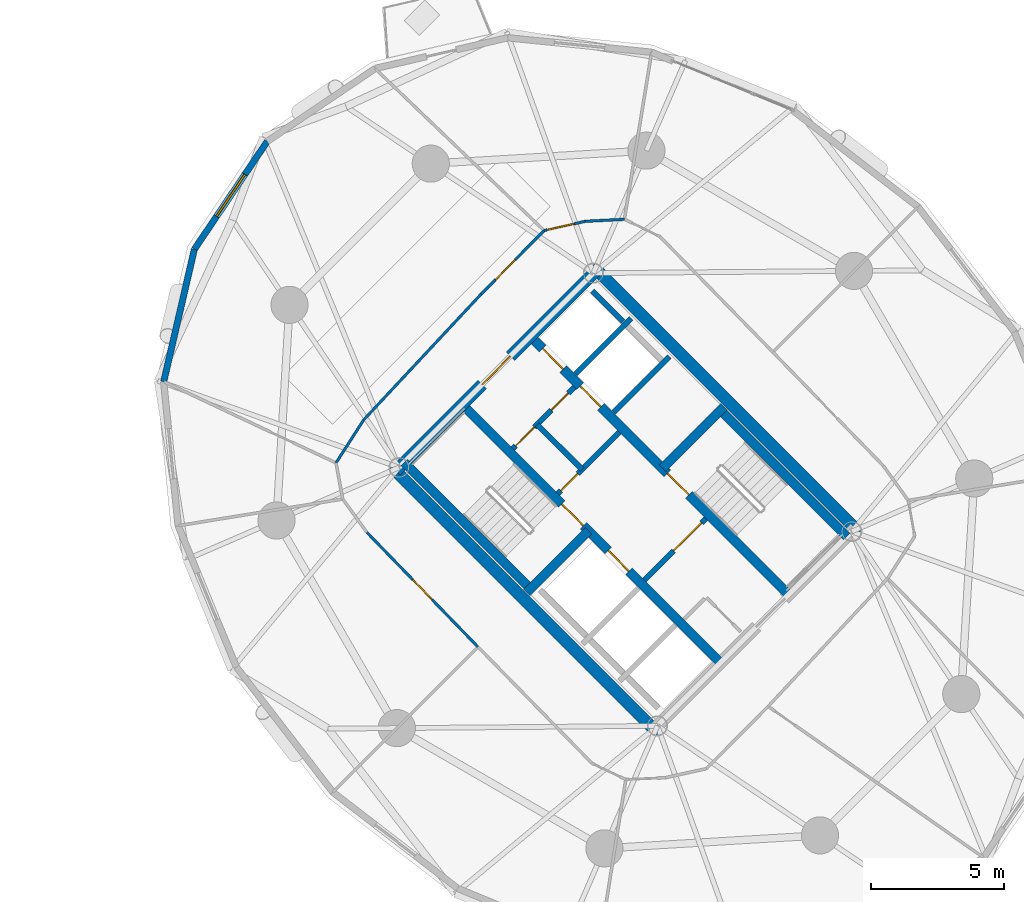
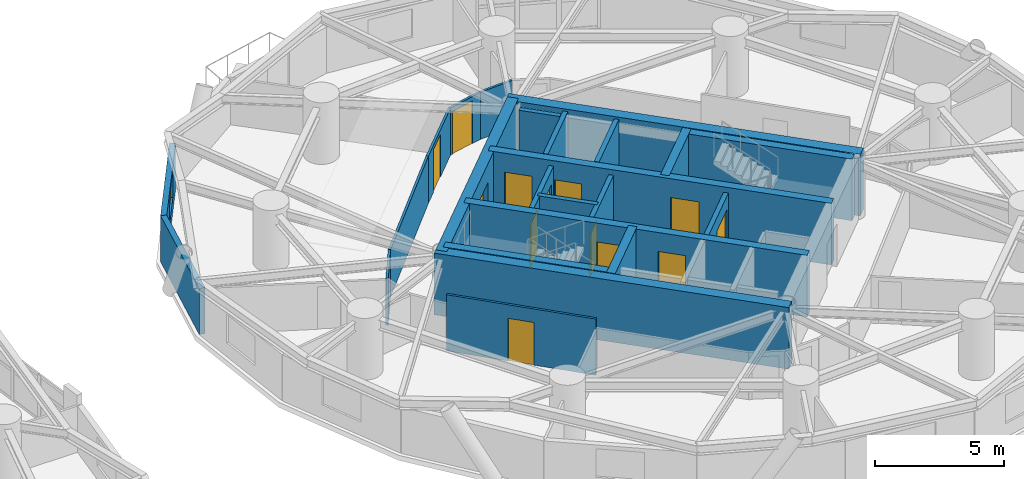
# One storey, part 12 of 17: 24 walls, 13 doors, 1 window, 14 openings.
"""IFC4 building model written with IfcOpenShell, lengths in metres."""

import ifcopenshell
import ifcopenshell.guid

model = None  # the IFC model being written
_history = None  # IfcOwnerHistory: only IFC2X3 demands one
_inside = {}  # id of a spatial element -> (the spatial element, [elements in it])
_under = {}  # id of a project, library or spatial element -> (it, [spatial elements below it])
_declared = {}  # id of a project -> (the project, [libraries it declares])
_typed = {}  # id of a type object -> (the type object, [elements of that type])
_made_of = {}  # id of a material, layer set ... -> (it, [elements and type objects made of it])


def new_model(schema):
    """Start an empty IFC model of exactly this schema.

    Asked for "IFC4X3", IfcOpenShell would pick the latest addendum, in which some entities
    have other attributes; the version numbers below select the first issue.
    IFC2X3 requires an IfcOwnerHistory on every rooted entity: one is made here for all.
    """
    global model, _history
    if schema == "IFC4X3":
        model = ifcopenshell.file(schema_version=(4, 3, 0, 0))
    else:
        model = ifcopenshell.file(schema=schema)
    _inside.clear()
    _under.clear()
    _declared.clear()
    _typed.clear()
    _made_of.clear()
    _history = None
    if model.schema == "IFC2X3":
        org = make("IfcOrganization", Name="unknown")
        user = make(
            "IfcPersonAndOrganization",
            ThePerson=make("IfcPerson", FamilyName="unknown"),
            TheOrganization=org,
        )
        app = make(
            "IfcApplication",
            ApplicationDeveloper=org,
            Version="unknown",
            ApplicationFullName="unknown",
            ApplicationIdentifier="unknown",
        )
        _history = make(
            "IfcOwnerHistory",
            OwningUser=user,
            OwningApplication=app,
            ChangeAction="ADDED",
            CreationDate=0,
        )
    return model


def make(cls, **values):
    """One entity of the class cls with the attributes given. An attribute that is None is left unset."""
    return model.create_entity(
        cls, **{name: value for name, value in values.items() if value is not None}
    )


def rooted(cls, **values):
    """An entity with a GlobalId (a new one), such as an element, a storey or a relation."""
    return make(cls, GlobalId=ifcopenshell.guid.new(), OwnerHistory=_history, **values)


def si_unit(unit_type, name, prefix=None):
    """IfcSIUnit, for example si_unit("LENGTHUNIT", "METRE", prefix="MILLI")."""
    return make("IfcSIUnit", UnitType=unit_type, Prefix=prefix, Name=name)


def assignment(units):
    """IfcUnitAssignment: the units of a project."""
    return None if units is None else make("IfcUnitAssignment", Units=units)


def point(xyz):
    """IfcCartesianPoint."""
    return None if xyz is None else make("IfcCartesianPoint", Coordinates=xyz)


def direction(xyz):
    """IfcDirection."""
    return None if xyz is None else make("IfcDirection", DirectionRatios=xyz)


def frame(location, z_axis=None, x_axis=None):
    """IfcAxis2Placement3D, a coordinate frame: its origin and axes. An axis left out is left unset."""
    return make(
        "IfcAxis2Placement3D",
        Location=point(location),
        Axis=direction(z_axis),
        RefDirection=direction(x_axis),
    )


def frame_2d(location, x_axis=None):
    """IfcAxis2Placement2D, a coordinate frame in the plane: its origin and x axis."""
    return make(
        "IfcAxis2Placement2D", Location=point(location), RefDirection=direction(x_axis)
    )


def origin():
    """The frame at (0, 0, 0) with its axes left unset."""
    return frame((0.0, 0.0, 0.0))


def place(relative_to, where):
    """IfcLocalPlacement: puts the frame where relative to a parent placement (None: the world)."""
    return make(
        "IfcLocalPlacement", PlacementRelTo=relative_to, RelativePlacement=where
    )


def context(
    kind, dimensions, precision=None, world=None, true_north=None, identifier=None
):
    """IfcGeometricRepresentationContext, for example the 3D "Model" context."""
    return make(
        "IfcGeometricRepresentationContext",
        ContextIdentifier=identifier,
        ContextType=kind,
        CoordinateSpaceDimension=dimensions,
        Precision=precision,
        WorldCoordinateSystem=world,
        TrueNorth=true_north,
    )


def subcontext(parent, identifier, kind, view, scale=None):
    """IfcGeometricRepresentationSubContext, for example "Body" below "Model"."""
    return make(
        "IfcGeometricRepresentationSubContext",
        ContextIdentifier=identifier,
        ContextType=kind,
        ParentContext=parent,
        TargetScale=scale,
        TargetView=view,
    )


def project(units=None, contexts=None):
    """IfcProject with its units and contexts."""
    return rooted(
        "IfcProject",
        Name="project",
        RepresentationContexts=contexts,
        UnitsInContext=assignment(units),
    )


def spatial(cls, under=None, at=None, **own):
    """A site, building, storey or space (cls), placed at a placement, below another one or the project."""
    s = rooted(cls, ObjectPlacement=at, **own)
    if under is not None:
        _under.setdefault(under.id(), (under, []))[1].append(s)
    return s


def profile(cls, at=None, kind="AREA", **sizes):
    """A parametric profile (cls). Its sizes go by their IFC names, for example OverallWidth=200.0."""
    return make(cls, ProfileType=kind, Position=at, **sizes)


def rectangle(**sizes):
    """IfcRectangleProfileDef."""
    return profile("IfcRectangleProfileDef", **sizes)


def extrude(swept, where, along, depth):
    """IfcExtrudedAreaSolid: the profile swept, set in the frame where, extruded along a direction by depth."""
    return make(
        "IfcExtrudedAreaSolid",
        SweptArea=swept,
        Position=where,
        ExtrudedDirection=direction(along),
        Depth=depth,
    )


def shape(context_of_items, identifier, shape_type, items):
    """IfcShapeRepresentation: the items that make up one representation, for example the "Body"."""
    return make(
        "IfcShapeRepresentation",
        ContextOfItems=context_of_items,
        RepresentationIdentifier=identifier,
        RepresentationType=shape_type,
        Items=items,
    )


def source(mapping_origin, context_of_items, identifier, shape_type, items):
    """IfcRepresentationMap: a shape defined once, which mapped items show again and again."""
    return make(
        "IfcRepresentationMap",
        MappingOrigin=mapping_origin,
        MappedRepresentation=shape(context_of_items, identifier, shape_type, items),
    )


def transform(
    local_origin,
    x_axis=None,
    y_axis=None,
    z_axis=None,
    scale=None,
    scale2=None,
    scale3=None,
    uniform=True,
):
    """IfcCartesianTransformationOperator3D, or its non-uniform kind. x_axis, y_axis, z_axis: its Axis1, 2, 3."""
    if uniform:
        return make(
            "IfcCartesianTransformationOperator3D",
            Axis1=direction(x_axis),
            Axis2=direction(y_axis),
            LocalOrigin=point(local_origin),
            Scale=scale,
            Axis3=direction(z_axis),
        )
    return make(
        "IfcCartesianTransformationOperator3DnonUniform",
        Axis1=direction(x_axis),
        Axis2=direction(y_axis),
        LocalOrigin=point(local_origin),
        Scale=scale,
        Axis3=direction(z_axis),
        Scale2=scale2,
        Scale3=scale3,
    )


def mapped(mapping_source, mapping_target):
    """IfcMappedItem: shows the shape of a source again, moved by a transform."""
    return make(
        "IfcMappedItem", MappingSource=mapping_source, MappingTarget=mapping_target
    )


def material(Name=None, Category=None):
    """IfcMaterial."""
    return make("IfcMaterial", Name=Name, Category=Category)


def layer(
    of_material, thickness, ventilated=None, Name=None, Category=None, Priority=None
):
    """IfcMaterialLayer: one layer of a wall or slab, of a material (None: an air gap)."""
    return make(
        "IfcMaterialLayer",
        Material=of_material,
        LayerThickness=thickness,
        IsVentilated=ventilated,
        Name=Name,
        Category=Category,
        Priority=Priority,
    )


def layer_set(layers, Name=None):
    """IfcMaterialLayerSet."""
    return make("IfcMaterialLayerSet", MaterialLayers=layers, LayerSetName=Name)


def made_of(thing, what):
    """Note that an element or type object is made of a material, layer set ...; save() writes the relation."""
    if what is not None:
        _made_of.setdefault(what.id(), (what, []))[1].append(thing)
    return thing


def type_object(cls, material=None, **own):
    """A type object (cls), such as IfcWallType, which elements share."""
    return made_of(rooted(cls, **own), material)


def element(
    cls,
    number,
    at=None,
    inside=None,
    cuts=None,
    type_object=None,
    material=None,
    context=None,
    identifier="Body",
    shape_type=None,
    held_by="IfcProductDefinitionShape",
    body=None,
    shapes=None,
    **own,
):
    """One element of the class cls, such as IfcWall. Its Tag is "e" and its number.

    at: its placement. inside: the storey or other place that contains it. cuts: it is an
    opening in that element (IfcRelVoidsElement). A single representation is given by context,
    identifier, shape_type and body (its items); several are given by shapes. held_by: the class
    of the entity that holds the representations. save() writes the other relations.
    """
    e = rooted(cls, Tag="e%d" % number, ObjectPlacement=at, **own)
    if body is not None:
        shapes = [shape(context, identifier, shape_type, body)]
    if shapes is not None:
        e.Representation = make(held_by, Representations=shapes)
    if inside is not None:
        _inside.setdefault(inside.id(), (inside, []))[1].append(e)
    if cuts is not None:
        rooted(
            "IfcRelVoidsElement", RelatingBuildingElement=cuts, RelatedOpeningElement=e
        )
    if type_object is not None:
        _typed.setdefault(type_object.id(), (type_object, []))[1].append(e)
    return made_of(e, material)


def fill(opening, filler):
    """IfcRelFillsElement: the door or window that sits in an opening."""
    return rooted(
        "IfcRelFillsElement",
        RelatingOpeningElement=opening,
        RelatedBuildingElement=filler,
    )


def aggregate(whole, parts):
    """IfcRelAggregates: a whole, such as a stair, and the parts it consists of."""
    return rooted("IfcRelAggregates", RelatingObject=whole, RelatedObjects=parts)


def save(model, path):
    """Write the relations noted so far, then the file.

    IfcRelAggregates (storeys below a building ...), IfcRelContainedInSpatialStructure (elements
    in a storey), IfcRelDefinesByType, IfcRelAssociatesMaterial and IfcRelDeclares: one each for
    every whole, place, type object, material and project.
    """
    for whole, parts in _under.values():
        aggregate(whole, parts)
    for where, things in _inside.values():
        rooted(
            "IfcRelContainedInSpatialStructure",
            RelatedElements=things,
            RelatingStructure=where,
        )
    for kind, things in _typed.values():
        rooted("IfcRelDefinesByType", RelatedObjects=things, RelatingType=kind)
    for what, things in _made_of.values():
        rooted("IfcRelAssociatesMaterial", RelatedObjects=things, RelatingMaterial=what)
    for by, libraries in _declared.values():
        rooted("IfcRelDeclares", RelatingContext=by, RelatedDefinitions=libraries)
    model.write(path)


model = new_model("IFC4")

# Units and contexts
model_context = context("Model", 3, precision=1e-05, world=origin(), true_north=direction((0.0, 1.0)))
body_context = subcontext(model_context, "Body", "Model", "MODEL_VIEW")
ifc_project = project(units=[si_unit("LENGTHUNIT", "METRE"), si_unit("AREAUNIT", "SQUARE_METRE"), si_unit("VOLUMEUNIT", "CUBIC_METRE"), si_unit("PLANEANGLEUNIT", "RADIAN"), si_unit("MASSUNIT", "GRAM", prefix="KILO")], contexts=[model_context])

# Site, building, storey
site_placement = place(None, origin())
site = spatial("IfcSite", under=ifc_project, at=site_placement, CompositionType="ELEMENT")
building_placement = place(site_placement, origin())
building = spatial("IfcBuilding", under=site, at=building_placement, Name="Cununo Teusaquillo Station Towers", CompositionType="ELEMENT")
storey_placement = place(building_placement, frame((0.0, 0.0, 96.340087890625)))
storey = spatial("IfcBuildingStorey", under=building, at=storey_placement, Name="L30", CompositionType="ELEMENT", Elevation=96.340087890625)

# Walls
ifc_material_1 = material(Name="Concrete C50/60", Category="concrete")
ifc_layer_1 = layer(ifc_material_1, 0.199951171875)
ifc_layer_set_1 = layer_set([ifc_layer_1], Name="Concrete C50/60")
wall_type_1 = type_object("IfcWallType", Name="WL-CORE-200", PredefinedType="SHEAR", material=ifc_layer_set_1)
wall_1_placement = place(storey_placement, frame((57.0615234375, 27.781005859375, 0.0), z_axis=(0.0, 0.0, 1.0), x_axis=(0.707106781187, 0.707106781187, 0.0)))
element("IfcWall", 1, at=wall_1_placement, inside=storey, type_object=wall_type_1, Name="L30 Tower B Low-Rise Lift Hoistway South Shear Wall", PredefinedType="SHEAR", context=body_context, shape_type="SweptSolid", body=[
    extrude(rectangle(XDim=2.969970703125, YDim=0.199951171875, at=frame_2d((1.48486328125, 0.0))), origin(), (0.0, 0.0, 1.0), 2.909912109375),
])
wall_2_placement = place(storey_placement, frame((55.615478515625, 29.22705078125, 0.0), z_axis=(0.0, 0.0, 1.0), x_axis=(0.707147878904, 0.70706568108, 0.0)))
element("IfcWall", 2, at=wall_2_placement, inside=storey, type_object=wall_type_1, Name="L30 Tower B Low-Rise Lift Hoistway Divider Shear Wall", PredefinedType="SHEAR", context=body_context, shape_type="SweptSolid", body=[
    extrude(rectangle(XDim=2.97021484375, YDim=0.199951171875, at=frame_2d((1.485107421875, 0.0))), origin(), (0.0, 0.0, 1.0), 2.909912109375),
])
wall_3_placement = place(storey_placement, frame((57.418701171875, 31.19970703125, 0.0), z_axis=(0.0, 0.0, 1.0), x_axis=(-0.707032117043, 0.707181437447, 0.0)))
element("IfcWall", 3, at=wall_3_placement, inside=storey, type_object=wall_type_1, Name="L30 Tower B Low-Rise Lift 2 Shaft Rear Shear Wall", PredefinedType="SHEAR", context=body_context, shape_type="SweptSolid", body=[
    extrude(rectangle(XDim=1.635009765625, YDim=0.199951171875, at=frame_2d((0.8173828125, 0.0))), origin(), (0.0, 0.0, 1.0), 2.909912109375),
])

# Wall, openings, doors
ifc_material_2 = material(Name="Concrete C50/60", Category="concrete")
ifc_layer_2 = layer(ifc_material_2, 0.35009765625)
ifc_layer_set_2 = layer_set([ifc_layer_2], Name="Concrete C50/60")
wall_type_2 = type_object("IfcWallType", Name="WL-CORE-350", PredefinedType="SHEAR", material=ifc_layer_set_2)
wall_4_placement = place(storey_placement, frame((61.077880859375, 18.355224609375, 0.0), z_axis=(0.0, 0.0, 1.0), x_axis=(-0.707106781187, 0.707106781187, 0.0)))
wall_4 = element("IfcWall", 4, at=wall_4_placement, inside=storey, type_object=wall_type_2, Name="L30 Tower B Core Shear Wall IW", PredefinedType="SHEAR", context=body_context, shape_type="SweptSolid", body=[
    extrude(rectangle(XDim=13.75, YDim=0.35009765625, at=frame_2d((6.875, 0.0))), origin(), (0.0, 0.0, 1.0), 2.909912109375),
])
shared_shape_1 = source(origin(), body_context, "Body", "SweptSolid", [
    extrude(rectangle(XDim=1.10009765625, YDim=2.014892578125, at=frame_2d((0.550048828125, 1.00732421875))), frame((0.0, 0.18505859375, 0.0), z_axis=(0.0, -1.0, 0.0), x_axis=(1.0, 0.0, 0.0)), (0.0, 0.0, 1.0), 0.3701171875),
])
opening_1_placement = place(wall_4_placement, frame((4.875, 0.0, 0.0)))
opening_1 = element("IfcOpeningElement", 5, at=opening_1_placement, cuts=wall_4, Name="Opening LD-01", PredefinedType="OPENING", context=body_context, shape_type="MappedRepresentation", body=[
    mapped(shared_shape_1, transform((0.0, 0.0, 0.0), x_axis=(1.0, 0.0, 0.0), y_axis=(0.0, 1.0, 0.0), z_axis=(0.0, 0.0, 1.0), scale=1.0)),
])
shared_shape_2 = source(origin(), body_context, "Body", "SweptSolid", [
    extrude(rectangle(XDim=1.14990234375, YDim=2.02001953125, at=frame_2d((0.574951171875, 1.010009765625))), frame((0.0, 0.18505859375, 0.0), z_axis=(0.0, -1.0, 0.0), x_axis=(1.0, 0.0, 0.0)), (0.0, 0.0, 1.0), 0.3701171875),
])
opening_2_placement = place(wall_4_placement, frame((7.294921875, 0.0, 0.0)))
opening_2 = element("IfcOpeningElement", 6, at=opening_2_placement, cuts=wall_4, Name="Opening D-ST1", PredefinedType="OPENING", context=body_context, shape_type="MappedRepresentation", body=[
    mapped(shared_shape_2, transform((0.0, 0.0, 0.0), x_axis=(1.0, 0.0, 0.0), y_axis=(0.0, 1.0, 0.0), z_axis=(0.0, 0.0, 1.0), scale=1.0)),
])
ifc_material_3 = material(Name="Galvanised fire-rated hollow steel door assembly", Category="steel")
door_type_1 = type_object("IfcDoorType", Name="DR-LIFT-1100", OperationType="SLIDING_TO_LEFT", PredefinedType="DOOR", material=ifc_material_3)
shared_shape_3 = source(origin(), body_context, "Body", "SweptSolid", [
    extrude(rectangle(XDim=1.10009765625, YDim=2.014892578125, at=frame_2d((0.550048828125, 1.00732421875))), frame((0.0, 0.02490234375, 0.0), z_axis=(0.0, -1.0, 0.0), x_axis=(1.0, 0.0, 0.0)), (0.0, 0.0, 1.0), 0.050048828125),
])
door_1_placement = place(opening_1_placement, origin())
door_1 = element("IfcDoor", 7, at=door_1_placement, inside=storey, type_object=door_type_1, Name="L30 Lift FL-T2 Sliding Landing Door", OperationType="SLIDING_TO_RIGHT", OverallHeight=2.014892578125, OverallWidth=1.10009765625, PredefinedType="DOOR", context=body_context, shape_type="MappedRepresentation", body=[
    mapped(shared_shape_3, transform((0.0, 0.0, 0.0), x_axis=(1.0, 0.0, 0.0), y_axis=(0.0, 1.0, 0.0), z_axis=(0.0, 0.0, 1.0), scale=1.0)),
])
fill(opening_1, door_1)
ifc_material_4 = material(Name="Galvanised fire-rated hollow steel door assembly", Category="steel")
door_type_2 = type_object("IfcDoorType", Name="DR-STAIR-1150", OperationType="NOTDEFINED", PredefinedType="DOOR", material=ifc_material_4)
shared_shape_4 = source(origin(), body_context, "Body", "SweptSolid", [
    extrude(rectangle(XDim=1.14990234375, YDim=2.02001953125, at=frame_2d((0.574951171875, 1.010009765625))), frame((0.0, 0.02490234375, 0.0), z_axis=(0.0, -1.0, 0.0), x_axis=(1.0, 0.0, 0.0)), (0.0, 0.0, 1.0), 0.050048828125),
])
door_2_placement = place(opening_2_placement, origin())
door_2 = element("IfcDoor", 8, at=door_2_placement, inside=storey, type_object=door_type_2, Name="L30 Tower B Exit Stair 1 Fire Door", OperationType="SINGLE_SWING_RIGHT", OverallHeight=2.02001953125, OverallWidth=1.14990234375, PredefinedType="DOOR", context=body_context, shape_type="MappedRepresentation", body=[
    mapped(shared_shape_4, transform((0.0, 0.0, 0.0), x_axis=(1.0, 0.0, 0.0), y_axis=(0.0, 1.0, 0.0), z_axis=(0.0, 0.0, 1.0), scale=1.0)),
])
fill(opening_2, door_2)

wall_5_placement = place(storey_placement, frame((63.644775390625, 20.922119140625, 0.0), z_axis=(0.0, 0.0, 1.0), x_axis=(-0.707106781187, 0.707106781187, 0.0)))
wall_5 = element("IfcWall", 9, at=wall_5_placement, inside=storey, type_object=wall_type_2, Name="L30 Tower B Core Shear Wall IE", PredefinedType="SHEAR", context=body_context, shape_type="SweptSolid", body=[
    extrude(rectangle(XDim=13.75, YDim=0.35009765625, at=frame_2d((6.875, 0.0))), origin(), (0.0, 0.0, 1.0), 2.909912109375),
])
opening_3_placement = place(wall_5_placement, frame((10.0, 0.0, 0.0)))
opening_3 = element("IfcOpeningElement", 10, at=opening_3_placement, cuts=wall_5, Name="Opening LD-01", PredefinedType="OPENING", context=body_context, shape_type="MappedRepresentation", body=[
    mapped(shared_shape_1, transform((0.0, 0.0, 0.0), x_axis=(1.0, 0.0, 0.0), y_axis=(0.0, 1.0, 0.0), z_axis=(0.0, 0.0, 1.0), scale=1.0)),
])
opening_4_placement = place(wall_5_placement, frame((12.0, 0.0, 0.0)))
opening_4 = element("IfcOpeningElement", 11, at=opening_4_placement, cuts=wall_5, Name="Opening LD-01", PredefinedType="OPENING", context=body_context, shape_type="MappedRepresentation", body=[
    mapped(shared_shape_1, transform((0.0, 0.0, 0.0), x_axis=(1.0, 0.0, 0.0), y_axis=(0.0, 1.0, 0.0), z_axis=(0.0, 0.0, 1.0), scale=1.0)),
])
opening_5_placement = place(wall_5_placement, frame((5.304931640625, 0.0, 0.0)))
opening_5 = element("IfcOpeningElement", 12, at=opening_5_placement, cuts=wall_5, Name="Opening D-ST1", PredefinedType="OPENING", context=body_context, shape_type="MappedRepresentation", body=[
    mapped(shared_shape_2, transform((0.0, 0.0, 0.0), x_axis=(1.0, 0.0, 0.0), y_axis=(0.0, 1.0, 0.0), z_axis=(0.0, 0.0, 1.0), scale=1.0)),
])
door_3_placement = place(opening_3_placement, origin())
door_3 = element("IfcDoor", 13, at=door_3_placement, inside=storey, type_object=door_type_1, Name="L30 Lift PL-T2-L1 Sliding Landing Door", OperationType="SLIDING_TO_RIGHT", OverallHeight=2.014892578125, OverallWidth=1.10009765625, PredefinedType="DOOR", context=body_context, shape_type="MappedRepresentation", body=[
    mapped(shared_shape_3, transform((0.0, 0.0, 0.0), x_axis=(1.0, 0.0, 0.0), y_axis=(0.0, 1.0, 0.0), z_axis=(0.0, 0.0, 1.0), scale=1.0)),
])
fill(opening_3, door_3)
door_4_placement = place(opening_4_placement, origin())
door_4 = element("IfcDoor", 14, at=door_4_placement, inside=storey, type_object=door_type_1, Name="L30 Lift PL-T2-L2 Sliding Landing Door", OperationType="SLIDING_TO_LEFT", OverallHeight=2.014892578125, OverallWidth=1.10009765625, PredefinedType="DOOR", context=body_context, shape_type="MappedRepresentation", body=[
    mapped(shared_shape_3, transform((0.0, 0.0, 0.0), x_axis=(1.0, 0.0, 0.0), y_axis=(0.0, 1.0, 0.0), z_axis=(0.0, 0.0, 1.0), scale=1.0)),
])
fill(opening_4, door_4)
door_5_placement = place(opening_5_placement, origin())
door_5 = element("IfcDoor", 15, at=door_5_placement, inside=storey, type_object=door_type_2, Name="L30 Tower B Exit Stair 2 Fire Door", OperationType="SINGLE_SWING_LEFT", OverallHeight=2.02001953125, OverallWidth=1.14990234375, PredefinedType="DOOR", context=body_context, shape_type="MappedRepresentation", body=[
    mapped(shared_shape_4, transform((0.0, 0.0, 0.0), x_axis=(1.0, 0.0, 0.0), y_axis=(0.0, 1.0, 0.0), z_axis=(0.0, 0.0, 1.0), scale=1.0)),
])
fill(opening_5, door_5)

# Walls
wall_6_placement = place(storey_placement, frame((53.922119140625, 21.14111328125, 0.0), z_axis=(0.0, 0.0, 1.0), x_axis=(-0.707088616009, 0.707124945897, 0.0)))
element("IfcWall", 16, at=wall_6_placement, inside=storey, type_object=wall_type_2, Name="L30 Tower B Core Shear Wall ST1W", PredefinedType="SHEAR", context=body_context, shape_type="SweptSolid", body=[
    extrude(rectangle(XDim=6.72021484375, YDim=0.35009765625, at=frame_2d((3.360107421875, 0.0))), origin(), (0.0, 0.0, 1.0), 2.909912109375),
])
wall_7_placement = place(storey_placement, frame((53.7841796875, 21.00341796875, 0.0), z_axis=(0.0, 0.0, 1.0), x_axis=(0.707106781187, 0.707106781187, 0.0)))
element("IfcWall", 17, at=wall_7_placement, inside=storey, type_object=wall_type_2, Name="L30 Tower B Core Shear Wall ST1S", PredefinedType="SHEAR", context=body_context, shape_type="SweptSolid", body=[
    extrude(rectangle(XDim=3.284912109375, YDim=0.35009765625, at=frame_2d((1.642578125, 0.0))), origin(), (0.0, 0.0, 1.0), 2.909912109375),
])
wall_8_placement = place(storey_placement, frame((65.82958984375, 23.10693359375, 0.0), z_axis=(0.0, 0.0, 1.0), x_axis=(-0.707088616009, 0.707124945897, 0.0)))
element("IfcWall", 18, at=wall_8_placement, inside=storey, type_object=wall_type_2, Name="L30 Tower B Core Shear Wall ST2E", PredefinedType="SHEAR", context=body_context, shape_type="SweptSolid", body=[
    extrude(rectangle(XDim=6.72021484375, YDim=0.35009765625, at=frame_2d((3.360107421875, 0.0))), origin(), (0.0, 0.0, 1.0), 2.909912109375),
])
wall_9_placement = place(storey_placement, frame((58.89306640625, 25.673828125, 0.0), z_axis=(0.0, 0.0, 1.0), x_axis=(0.707106781187, 0.707106781187, 0.0)))
element("IfcWall", 19, at=wall_9_placement, inside=storey, type_object=wall_type_2, Name="L30 Tower B Core Shear Wall ST2N", PredefinedType="SHEAR", context=body_context, shape_type="SweptSolid", body=[
    extrude(rectangle(XDim=3.284912109375, YDim=0.35009765625, at=frame_2d((1.642578125, 0.0))), origin(), (0.0, 0.0, 1.0), 2.909912109375),
])
ifc_material_5 = material(Name="Concrete C60/75", Category="concrete")
ifc_layer_3 = layer(ifc_material_5, 0.449951171875)
ifc_layer_set_3 = layer_set([ifc_layer_3], Name="Concrete C60/75")
wall_type_3 = type_object("IfcWallType", Name="WL-CORE-450", PredefinedType="SHEAR", material=ifc_layer_set_3)
for number, where, z_axis, x_axis, name in (
    (20, (58.7373046875, 15.696533203125, 0.0), (0.0, 0.0, 1.0), (-0.707106781187, 0.707106781187, 0.0), "L30 Tower B Core Shear Wall W"),
    (21, (66.303466796875, 23.2626953125, 0.0), (0.0, 0.0, 1.0), (-0.707106781187, 0.707106781187, 0.0), "L30 Tower B Core Shear Wall E"),
):
    element("IfcWall", number, at=place(storey_placement, frame(where, z_axis=z_axis, x_axis=x_axis)), inside=storey, type_object=wall_type_3, Name=name, PredefinedType="SHEAR", context=body_context, shape_type="SweptSolid", body=[
        extrude(rectangle(XDim=14.19970703125, YDim=0.449951171875, at=frame_2d((7.099853515625, 0.0))), origin(), (0.0, 0.0, 1.0), 2.909912109375),
    ])

# Wall, opening, door
wall_10_placement = place(storey_placement, frame((48.855712890625, 25.578369140625, 0.0), z_axis=(0.0, 0.0, 1.0), x_axis=(0.707106781187, 0.707106781187, 0.0)))
wall_10 = element("IfcWall", 22, at=wall_10_placement, inside=storey, type_object=wall_type_3, Name="L30 Tower B Core Shear Wall N", PredefinedType="SHEAR", context=body_context, shape_type="SweptSolid", body=[
    extrude(rectangle(XDim=10.69970703125, YDim=0.449951171875, at=frame_2d((5.349853515625, 0.0))), origin(), (0.0, 0.0, 1.0), 2.909912109375),
])
shared_shape_5 = source(origin(), body_context, "Body", "SweptSolid", [
    extrude(rectangle(XDim=1.5, YDim=2.02001953125, at=frame_2d((0.75, 1.010009765625))), frame((0.0, 0.23486328125, 0.0), z_axis=(0.0, -1.0, 0.0), x_axis=(1.0, 0.0, 0.0)), (0.0, 0.0, 1.0), 0.469970703125),
])
opening_6_placement = place(wall_10_placement, frame((4.60009765625, 0.0, 0.0)))
opening_6 = element("IfcOpeningElement", 23, at=opening_6_placement, cuts=wall_10, Name="Opening D-LB1", PredefinedType="OPENING", context=body_context, shape_type="MappedRepresentation", body=[
    mapped(shared_shape_5, transform((0.0, 0.0, 0.0), x_axis=(1.0, 0.0, 0.0), y_axis=(0.0, 1.0, 0.0), z_axis=(0.0, 0.0, 1.0), scale=1.0)),
])
ifc_material_6 = material(Name="Galvanised fire-rated hollow steel door assembly", Category="steel")
door_type_3 = type_object("IfcDoorType", Name="DR-LOBBY-1500", OperationType="DOUBLE_DOOR_SINGLE_SWING", PredefinedType="DOOR", material=ifc_material_6)
shared_shape_6 = source(origin(), body_context, "Body", "SweptSolid", [
    extrude(rectangle(XDim=1.5, YDim=2.02001953125, at=frame_2d((0.75, 1.010009765625))), frame((0.0, 0.02490234375, 0.0), z_axis=(0.0, -1.0, 0.0), x_axis=(1.0, 0.0, 0.0)), (0.0, 0.0, 1.0), 0.050048828125),
])
door_6_placement = place(opening_6_placement, origin())
door_6 = element("IfcDoor", 24, at=door_6_placement, inside=storey, type_object=door_type_3, Name="L30 Tower B North Core Lift Lobby Door", OperationType="DOUBLE_DOOR_SINGLE_SWING", OverallHeight=2.02001953125, OverallWidth=1.5, PredefinedType="DOOR", context=body_context, shape_type="MappedRepresentation", body=[
    mapped(shared_shape_6, transform((0.0, 0.0, 0.0), x_axis=(1.0, 0.0, 0.0), y_axis=(0.0, 1.0, 0.0), z_axis=(0.0, 0.0, 1.0), scale=1.0)),
])
fill(opening_6, door_6)

# Wall, opening, window
ifc_material_7 = material(Name="Precast concrete C40/50", Category="concrete")
ifc_layer_4 = layer(ifc_material_7, 0.239990234375)
ifc_layer_set_4 = layer_set([ifc_layer_4], Name="Precast concrete C40/50")
wall_type_4 = type_object("IfcWallType", Name="WL-EXT-240", PredefinedType="SOLIDWALL", material=ifc_layer_set_4)
wall_11_placement = place(storey_placement, frame((41.27099609375, 33.919921875, 0.0), z_axis=(0.0, 0.0, 1.0), x_axis=(0.559572880421, 0.828781148131, 0.0)))
wall_11 = element("IfcWall", 25, at=wall_11_placement, inside=storey, type_object=wall_type_4, Name="L30 Tower B Exterior Facade Wall C05", PredefinedType="SOLIDWALL", context=body_context, shape_type="SweptSolid", body=[
    extrude(rectangle(XDim=4.904541015625, YDim=0.239990234375, at=frame_2d((2.4521484375, 0.0))), origin(), (0.0, 0.0, 1.0), 2.178955078125),
])
shared_shape_7 = source(origin(), body_context, "Body", "SweptSolid", [
    extrude(rectangle(XDim=1.89990234375, YDim=1.35009765625, at=frame_2d((0.949951171875, 0.675048828125))), frame((0.0, 0.1298828125, 0.0), z_axis=(0.0, -1.0, 0.0), x_axis=(1.0, 0.0, 0.0)), (0.0, 0.0, 1.0), 0.260009765625),
])
opening_7_placement = place(wall_11_placement, frame((1.501953125, 0.0, 0.64990234375)))
opening_7 = element("IfcOpeningElement", 26, at=opening_7_placement, cuts=wall_11, Name="Opening WN-02", PredefinedType="OPENING", context=body_context, shape_type="MappedRepresentation", body=[
    mapped(shared_shape_7, transform((0.0, 0.0, 0.0), x_axis=(1.0, 0.0, 0.0), y_axis=(0.0, 1.0, 0.0), z_axis=(0.0, 0.0, 1.0), scale=1.0)),
])
ifc_material_8 = material(Name="Operable acoustic tinted low-E double glazing", Category="glass")
window_type = type_object("IfcWindowType", Name="WIN-OPER-1900", PartitioningType="DOUBLE_PANEL_VERTICAL", PredefinedType="WINDOW", material=ifc_material_8)
shared_shape_8 = source(origin(), body_context, "Body", "SweptSolid", [
    extrude(rectangle(XDim=1.89990234375, YDim=1.35009765625, at=frame_2d((0.949951171875, 0.675048828125))), frame((0.0, 0.030029296875, 0.0), z_axis=(0.0, -1.0, 0.0), x_axis=(1.0, 0.0, 0.0)), (0.0, 0.0, 1.0), 0.06005859375),
])
window_placement = place(opening_7_placement, origin())
window = element("IfcWindow", 27, at=window_placement, inside=storey, type_object=window_type, Name="L30 Tower B Facade Window C05", OverallHeight=1.35009765625, OverallWidth=1.89990234375, PartitioningType="DOUBLE_PANEL_VERTICAL", PredefinedType="WINDOW", context=body_context, shape_type="MappedRepresentation", body=[
    mapped(shared_shape_8, transform((0.0, 0.0, 0.0), x_axis=(1.0, 0.0, 0.0), y_axis=(0.0, 1.0, 0.0), z_axis=(0.0, 0.0, 1.0), scale=1.0)),
])
fill(opening_7, window)

# Walls
wall_12_placement = place(storey_placement, frame((40.114990234375, 28.933349609375, 0.0), z_axis=(0.0, 0.0, 1.0), x_axis=(0.225834725257, 0.974165631126, 0.0)))
element("IfcWall", 28, at=wall_12_placement, inside=storey, type_object=wall_type_4, Name="L30 Tower B Exterior Facade Wall C06", PredefinedType="SOLIDWALL", context=body_context, shape_type="SweptSolid", body=[
    extrude(rectangle(XDim=5.118896484375, YDim=0.239990234375, at=frame_2d((2.5595703125, 0.0))), origin(), (0.0, 0.0, 1.0), 2.178955078125),
])
ifc_material_9 = material(Name="Fire-rated gypsum plasterboard partition assembly", Category="gypsum")
ifc_layer_5 = layer(ifc_material_9, 0.10009765625)
ifc_layer_set_5 = layer_set([ifc_layer_5], Name="Fire-rated gypsum plasterboard partition assembly")
wall_type_5 = type_object("IfcWallType", Name="WL-PART-100", PredefinedType="MOVABLE", material=ifc_layer_set_5)
wall_13_placement = place(storey_placement, frame((57.46240234375, 35.050048828125, 0.0), z_axis=(0.0, 0.0, 1.0), x_axis=(-0.998677016607, -0.051421945723, 0.0)))
element("IfcWall", 29, at=wall_13_placement, inside=storey, type_object=wall_type_5, Name="L30 Tower B Corridor Ring Wall C02", PredefinedType="MOVABLE", context=body_context, shape_type="SweptSolid", body=[
    extrude(rectangle(XDim=1.4765625, YDim=0.10009765625, at=frame_2d((0.73828125, 0.0))), origin(), (0.0, 0.0, 1.0), 2.224853515625),
])

# Wall, opening, door
wall_14_placement = place(storey_placement, frame((55.98779296875, 34.97412109375, 0.0), z_axis=(0.0, 0.0, 1.0), x_axis=(-0.975666565154, -0.219259557695, 0.0)))
wall_14 = element("IfcWall", 30, at=wall_14_placement, inside=storey, type_object=wall_type_5, Name="L30 Tower B Corridor Ring Wall C03", PredefinedType="MOVABLE", context=body_context, shape_type="SweptSolid", body=[
    extrude(rectangle(XDim=1.586669921875, YDim=0.10009765625, at=frame_2d((0.79345703125, 0.0))), origin(), (0.0, 0.0, 1.0), 2.224853515625),
])
shared_shape_9 = source(origin(), body_context, "Body", "SweptSolid", [
    extrude(rectangle(XDim=1.050048828125, YDim=2.014892578125, at=frame_2d((0.52490234375, 1.00732421875))), frame((0.0, 0.06005859375, 0.0), z_axis=(0.0, -1.0, 0.0), x_axis=(1.0, 0.0, 0.0)), (0.0, 0.0, 1.0), 0.1201171875),
])
opening_8_placement = place(wall_14_placement, frame((0.416748046875, 0.0, 0.0)))
opening_8 = element("IfcOpeningElement", 31, at=opening_8_placement, cuts=wall_14, Name="Opening D-SU1", PredefinedType="OPENING", context=body_context, shape_type="MappedRepresentation", body=[
    mapped(shared_shape_9, transform((0.0, 0.0, 0.0), x_axis=(1.0, 0.0, 0.0), y_axis=(0.0, 1.0, 0.0), z_axis=(0.0, 0.0, 1.0), scale=1.0)),
])
ifc_material_10 = material(Name="Acoustic solid-core hardwood leaf assembly", Category="wood")
door_type_4 = type_object("IfcDoorType", Name="DR-SUITE-1050", OperationType="NOTDEFINED", PredefinedType="DOOR", material=ifc_material_10)
shared_shape_10 = source(origin(), body_context, "Body", "SweptSolid", [
    extrude(rectangle(XDim=1.050048828125, YDim=2.014892578125, at=frame_2d((0.52490234375, 1.00732421875))), frame((0.0, 0.02490234375, 0.0), z_axis=(0.0, -1.0, 0.0), x_axis=(1.0, 0.0, 0.0)), (0.0, 0.0, 1.0), 0.050048828125),
])
door_7_placement = place(opening_8_placement, origin())
door_7 = element("IfcDoor", 32, at=door_7_placement, inside=storey, type_object=door_type_4, Name="L30 Tower B Quantitative Risk Analytics Practice Entrance Door", OperationType="SINGLE_SWING_RIGHT", OverallHeight=2.014892578125, OverallWidth=1.050048828125, PredefinedType="DOOR", context=body_context, shape_type="MappedRepresentation", body=[
    mapped(shared_shape_10, transform((0.0, 0.0, 0.0), x_axis=(1.0, 0.0, 0.0), y_axis=(0.0, 1.0, 0.0), z_axis=(0.0, 0.0, 1.0), scale=1.0)),
])
fill(opening_8, door_7)

wall_15_placement = place(storey_placement, frame((54.439697265625, 34.626220703125, 0.0), z_axis=(0.0, 0.0, 1.0), x_axis=(-0.703978840546, -0.710220945948, 0.0)))
wall_15 = element("IfcWall", 33, at=wall_15_placement, inside=storey, type_object=wall_type_5, Name="L30 Tower B Corridor Ring Wall C04", PredefinedType="MOVABLE", context=body_context, shape_type="SweptSolid", body=[
    extrude(rectangle(XDim=3.363525390625, YDim=0.10009765625, at=frame_2d((1.681640625, 0.0))), origin(), (0.0, 0.0, 1.0), 2.224853515625),
])
opening_9_placement = place(wall_15_placement, frame((1.545654296875, 0.0, 0.0)))
opening_9 = element("IfcOpeningElement", 34, at=opening_9_placement, cuts=wall_15, Name="Opening D-SU1", PredefinedType="OPENING", context=body_context, shape_type="MappedRepresentation", body=[
    mapped(shared_shape_9, transform((0.0, 0.0, 0.0), x_axis=(1.0, 0.0, 0.0), y_axis=(0.0, 1.0, 0.0), z_axis=(0.0, 0.0, 1.0), scale=1.0)),
])
door_8_placement = place(opening_9_placement, origin())
door_8 = element("IfcDoor", 35, at=door_8_placement, inside=storey, type_object=door_type_4, Name="L30 Tower B Compliance & Audit Office Entrance Door", OperationType="SINGLE_SWING_LEFT", OverallHeight=2.014892578125, OverallWidth=1.050048828125, PredefinedType="DOOR", context=body_context, shape_type="MappedRepresentation", body=[
    mapped(shared_shape_10, transform((0.0, 0.0, 0.0), x_axis=(1.0, 0.0, 0.0), y_axis=(0.0, 1.0, 0.0), z_axis=(0.0, 0.0, 1.0), scale=1.0)),
])
fill(opening_9, door_8)

# Walls
wall_16_placement = place(storey_placement, frame((52.07177734375, 32.2373046875, 0.0), z_axis=(0.0, 0.0, 1.0), x_axis=(-0.682528774423, -0.730858722383, 0.0)))
element("IfcWall", 36, at=wall_16_placement, inside=storey, type_object=wall_type_5, Name="L30 Tower B Corridor Ring Wall C05", PredefinedType="MOVABLE", context=body_context, shape_type="SweptSolid", body=[
    extrude(rectangle(XDim=6.486083984375, YDim=0.10009765625, at=frame_2d((3.2431640625, 0.0))), origin(), (0.0, 0.0, 1.0), 2.224853515625),
])
wall_17_placement = place(storey_placement, frame((47.644775390625, 27.496826171875, 0.0), z_axis=(0.0, 0.0, 1.0), x_axis=(-0.540680612097, -0.841227957038, 0.0)))
element("IfcWall", 37, at=wall_17_placement, inside=storey, type_object=wall_type_5, Name="L30 Tower B Corridor Ring Wall C06", PredefinedType="MOVABLE", context=body_context, shape_type="SweptSolid", body=[
    extrude(rectangle(XDim=1.923583984375, YDim=0.10009765625, at=frame_2d((0.9619140625, 0.0))), origin(), (0.0, 0.0, 1.0), 2.224853515625),
])

# Wall, opening, door
wall_18_placement = place(storey_placement, frame((47.76318359375, 23.264892578125, 0.0), z_axis=(0.0, 0.0, 1.0), x_axis=(0.696243493404, -0.717805682544, 0.0)))
wall_18 = element("IfcWall", 38, at=wall_18_placement, inside=storey, type_object=wall_type_5, Name="L30 Tower B Corridor Ring Wall C09", PredefinedType="MOVABLE", context=body_context, shape_type="SweptSolid", body=[
    extrude(rectangle(XDim=6.01220703125, YDim=0.10009765625, at=frame_2d((3.006103515625, 0.0))), origin(), (0.0, 0.0, 1.0), 2.655029296875),
])
opening_10_placement = place(wall_18_placement, frame((2.481201171875, 0.0, 0.0)))
opening_10 = element("IfcOpeningElement", 39, at=opening_10_placement, cuts=wall_18, Name="Opening D-SU1", PredefinedType="OPENING", context=body_context, shape_type="MappedRepresentation", body=[
    mapped(shared_shape_9, transform((0.0, 0.0, 0.0), x_axis=(1.0, 0.0, 0.0), y_axis=(0.0, 1.0, 0.0), z_axis=(0.0, 0.0, 1.0), scale=1.0)),
])
door_9_placement = place(opening_10_placement, origin())
door_9 = element("IfcDoor", 40, at=door_9_placement, inside=storey, type_object=door_type_4, Name="L30 Tower B Fixed-Income & FX Execution Desk Entrance Door", OperationType="SINGLE_SWING_LEFT", OverallHeight=2.014892578125, OverallWidth=1.050048828125, PredefinedType="DOOR", context=body_context, shape_type="MappedRepresentation", body=[
    mapped(shared_shape_10, transform((0.0, 0.0, 0.0), x_axis=(1.0, 0.0, 0.0), y_axis=(0.0, 1.0, 0.0), z_axis=(0.0, 0.0, 1.0), scale=1.0)),
])
fill(opening_10, door_9)

ifc_material_11 = material(Name="Fire-rated gypsum plasterboard partition assembly", Category="gypsum")
ifc_layer_6 = layer(ifc_material_11, 0.199951171875)
ifc_layer_set_6 = layer_set([ifc_layer_6], Name="Fire-rated gypsum plasterboard partition assembly")
wall_type_6 = type_object("IfcWallType", Name="WL-PART-200", PredefinedType="PARTITIONING", material=ifc_layer_set_6)
wall_19_placement = place(storey_placement, frame((58.214111328125, 21.466552734375, 0.0), z_axis=(0.0, 0.0, 1.0), x_axis=(0.707106781187, 0.707106781187, 0.0)))
wall_19 = element("IfcWall", 41, at=wall_19_placement, inside=storey, type_object=wall_type_6, Name="L30 Tower B Firefighting Lift Lobby South Fire Wall", PredefinedType="PARTITIONING", context=body_context, shape_type="SweptSolid", body=[
    extrude(rectangle(XDim=3.280029296875, YDim=0.199951171875, at=frame_2d((1.64013671875, 0.0))), origin(), (0.0, 0.0, 1.0), 2.655029296875),
])
shared_shape_11 = source(origin(), body_context, "Body", "SweptSolid", [
    extrude(rectangle(XDim=1.5, YDim=2.02001953125, at=frame_2d((0.75, 1.010009765625))), frame((0.0, 0.10986328125, 0.0), z_axis=(0.0, -1.0, 0.0), x_axis=(1.0, 0.0, 0.0)), (0.0, 0.0, 1.0), 0.219970703125),
])
opening_11_placement = place(wall_19_placement, frame((1.550048828125, 0.0, 0.0)))
opening_11 = element("IfcOpeningElement", 42, at=opening_11_placement, cuts=wall_19, Name="Opening D-LB1", PredefinedType="OPENING", context=body_context, shape_type="MappedRepresentation", body=[
    mapped(shared_shape_11, transform((0.0, 0.0, 0.0), x_axis=(1.0, 0.0, 0.0), y_axis=(0.0, 1.0, 0.0), z_axis=(0.0, 0.0, 1.0), scale=1.0)),
])
door_10_placement = place(opening_11_placement, origin())
door_10 = element("IfcDoor", 43, at=door_10_placement, inside=storey, type_object=door_type_3, Name="L30 Tower B Firefighting Lift Lobby South Fire Door", OperationType="DOUBLE_DOOR_SINGLE_SWING", OverallHeight=2.02001953125, OverallWidth=1.5, PredefinedType="DOOR", context=body_context, shape_type="MappedRepresentation", body=[
    mapped(shared_shape_6, transform((0.0, 0.0, 0.0), x_axis=(1.0, 0.0, 0.0), y_axis=(0.0, 1.0, 0.0), z_axis=(0.0, 0.0, 1.0), scale=1.0)),
])
fill(opening_11, door_10)

wall_20_placement = place(storey_placement, frame((54.96142578125, 24.71923828125, 0.0), z_axis=(0.0, 0.0, 1.0), x_axis=(0.707106781187, 0.707106781187, 0.0)))
wall_20 = element("IfcWall", 44, at=wall_20_placement, inside=storey, type_object=wall_type_6, Name="L30 Tower B Firefighting Lift Lobby North Fire Wall", PredefinedType="PARTITIONING", context=body_context, shape_type="SweptSolid", body=[
    extrude(rectangle(XDim=3.280029296875, YDim=0.199951171875, at=frame_2d((1.64013671875, 0.0))), origin(), (0.0, 0.0, 1.0), 2.655029296875),
])
shared_shape_12 = source(origin(), body_context, "Body", "SweptSolid", [
    extrude(rectangle(XDim=0.89990234375, YDim=2.0048828125, at=frame_2d((0.449951171875, 1.00244140625))), frame((0.0, 0.10986328125, 0.0), z_axis=(0.0, -1.0, 0.0), x_axis=(1.0, 0.0, 0.0)), (0.0, 0.0, 1.0), 0.219970703125),
])
opening_12_placement = place(wall_20_placement, frame((0.159912109375, 0.0, 0.0)))
opening_12 = element("IfcOpeningElement", 45, at=opening_12_placement, cuts=wall_20, Name="Opening D-SR1", PredefinedType="OPENING", context=body_context, shape_type="MappedRepresentation", body=[
    mapped(shared_shape_12, transform((0.0, 0.0, 0.0), x_axis=(1.0, 0.0, 0.0), y_axis=(0.0, 1.0, 0.0), z_axis=(0.0, 0.0, 1.0), scale=1.0)),
])
ifc_material_12 = material(Name="Galvanised fire-rated hollow steel door assembly", Category="steel")
door_type_5 = type_object("IfcDoorType", Name="DR-STORE-900", OperationType="NOTDEFINED", PredefinedType="DOOR", material=ifc_material_12)
shared_shape_13 = source(origin(), body_context, "Body", "SweptSolid", [
    extrude(rectangle(XDim=0.89990234375, YDim=2.0048828125, at=frame_2d((0.449951171875, 1.00244140625))), frame((0.0, 0.02490234375, 0.0), z_axis=(0.0, -1.0, 0.0), x_axis=(1.0, 0.0, 0.0)), (0.0, 0.0, 1.0), 0.050048828125),
])
door_11_placement = place(opening_12_placement, origin())
door_11 = element("IfcDoor", 46, at=door_11_placement, inside=storey, type_object=door_type_5, Name="L30 Tower B Stair 1 Protected Vestibule South Door", OperationType="SINGLE_SWING_RIGHT", OverallHeight=2.0048828125, OverallWidth=0.89990234375, PredefinedType="DOOR", context=body_context, shape_type="MappedRepresentation", body=[
    mapped(shared_shape_13, transform((0.0, 0.0, 0.0), x_axis=(1.0, 0.0, 0.0), y_axis=(0.0, 1.0, 0.0), z_axis=(0.0, 0.0, 1.0), scale=1.0)),
])
fill(opening_12, door_11)

# Wall
wall_21_placement = place(storey_placement, frame((55.873779296875, 25.63134765625, 0.0), z_axis=(0.0, 0.0, 1.0), x_axis=(-0.707157639372, 0.707055919343, 0.0)))
element("IfcWall", 47, at=wall_21_placement, inside=storey, type_object=wall_type_6, Name="L30 Tower B Stair 1 Vestibule Partition Wall", PredefinedType="PARTITIONING", context=body_context, shape_type="SweptSolid", body=[
    extrude(rectangle(XDim=2.400146484375, YDim=0.199951171875, at=frame_2d((1.2001953125, 0.0))), origin(), (0.0, 0.0, 1.0), 2.655029296875),
])

# Wall, openings, doors
wall_22_placement = place(storey_placement, frame((53.264404296875, 26.416259765625, 0.0), z_axis=(0.0, 0.0, 1.0), x_axis=(0.707106781187, 0.707106781187, 0.0)))
wall_22 = element("IfcWall", 48, at=wall_22_placement, inside=storey, type_object=wall_type_6, Name="L30 Tower B North Lift Lobby South Fire Wall", PredefinedType="PARTITIONING", context=body_context, shape_type="SweptSolid", body=[
    extrude(rectangle(XDim=3.280029296875, YDim=0.199951171875, at=frame_2d((1.64013671875, 0.0))), origin(), (0.0, 0.0, 1.0), 2.655029296875),
])
shared_shape_14 = source(origin(), body_context, "Body", "SweptSolid", [
    extrude(rectangle(XDim=1.0, YDim=2.014892578125, at=frame_2d((0.5, 1.00732421875))), frame((0.0, 0.10986328125, 0.0), z_axis=(0.0, -1.0, 0.0), x_axis=(1.0, 0.0, 0.0)), (0.0, 0.0, 1.0), 0.219970703125),
])
opening_13_placement = place(wall_22_placement, frame((0.139892578125, 0.0, 0.0)))
opening_13 = element("IfcOpeningElement", 49, at=opening_13_placement, cuts=wall_22, Name="Opening D-AC1", PredefinedType="OPENING", context=body_context, shape_type="MappedRepresentation", body=[
    mapped(shared_shape_14, transform((0.0, 0.0, 0.0), x_axis=(1.0, 0.0, 0.0), y_axis=(0.0, 1.0, 0.0), z_axis=(0.0, 0.0, 1.0), scale=1.0)),
])
opening_14_placement = place(wall_22_placement, frame((2.050048828125, 0.0, 0.0)))
opening_14 = element("IfcOpeningElement", 50, at=opening_14_placement, cuts=wall_22, Name="Opening D-SR1", PredefinedType="OPENING", context=body_context, shape_type="MappedRepresentation", body=[
    mapped(shared_shape_12, transform((0.0, 0.0, 0.0), x_axis=(1.0, 0.0, 0.0), y_axis=(0.0, 1.0, 0.0), z_axis=(0.0, 0.0, 1.0), scale=1.0)),
])
door_12_placement = place(opening_14_placement, origin())
door_12 = element("IfcDoor", 51, at=door_12_placement, inside=storey, type_object=door_type_5, Name="L30 Tower B Core Housekeeping & Linen Store Door", OperationType="SINGLE_SWING_LEFT", OverallHeight=2.0048828125, OverallWidth=0.89990234375, PredefinedType="DOOR", context=body_context, shape_type="MappedRepresentation", body=[
    mapped(shared_shape_13, transform((0.0, 0.0, 0.0), x_axis=(1.0, 0.0, 0.0), y_axis=(0.0, 1.0, 0.0), z_axis=(0.0, 0.0, 1.0), scale=1.0)),
])
fill(opening_14, door_12)
ifc_material_13 = material(Name="Acoustic solid-core hardwood leaf assembly", Category="wood")
door_type_6 = type_object("IfcDoorType", Name="DR-ACC-1000", OperationType="NOTDEFINED", PredefinedType="DOOR", material=ifc_material_13)
shared_shape_15 = source(origin(), body_context, "Body", "SweptSolid", [
    extrude(rectangle(XDim=1.0, YDim=2.014892578125, at=frame_2d((0.5, 1.00732421875))), frame((0.0, 0.02490234375, 0.0), z_axis=(0.0, -1.0, 0.0), x_axis=(1.0, 0.0, 0.0)), (0.0, 0.0, 1.0), 0.050048828125),
])
door_13_placement = place(opening_13_placement, origin())
door_13 = element("IfcDoor", 52, at=door_13_placement, inside=storey, type_object=door_type_6, Name="L30 Tower B North Lift Lobby to Stair 1 Vestibule Door", OperationType="SINGLE_SWING_LEFT", OverallHeight=2.014892578125, OverallWidth=1.0, PredefinedType="DOOR", context=body_context, shape_type="MappedRepresentation", body=[
    mapped(shared_shape_15, transform((0.0, 0.0, 0.0), x_axis=(1.0, 0.0, 0.0), y_axis=(0.0, 1.0, 0.0), z_axis=(0.0, 0.0, 1.0), scale=1.0)),
])
fill(opening_13, door_13)

save(model, "model.ifc")
